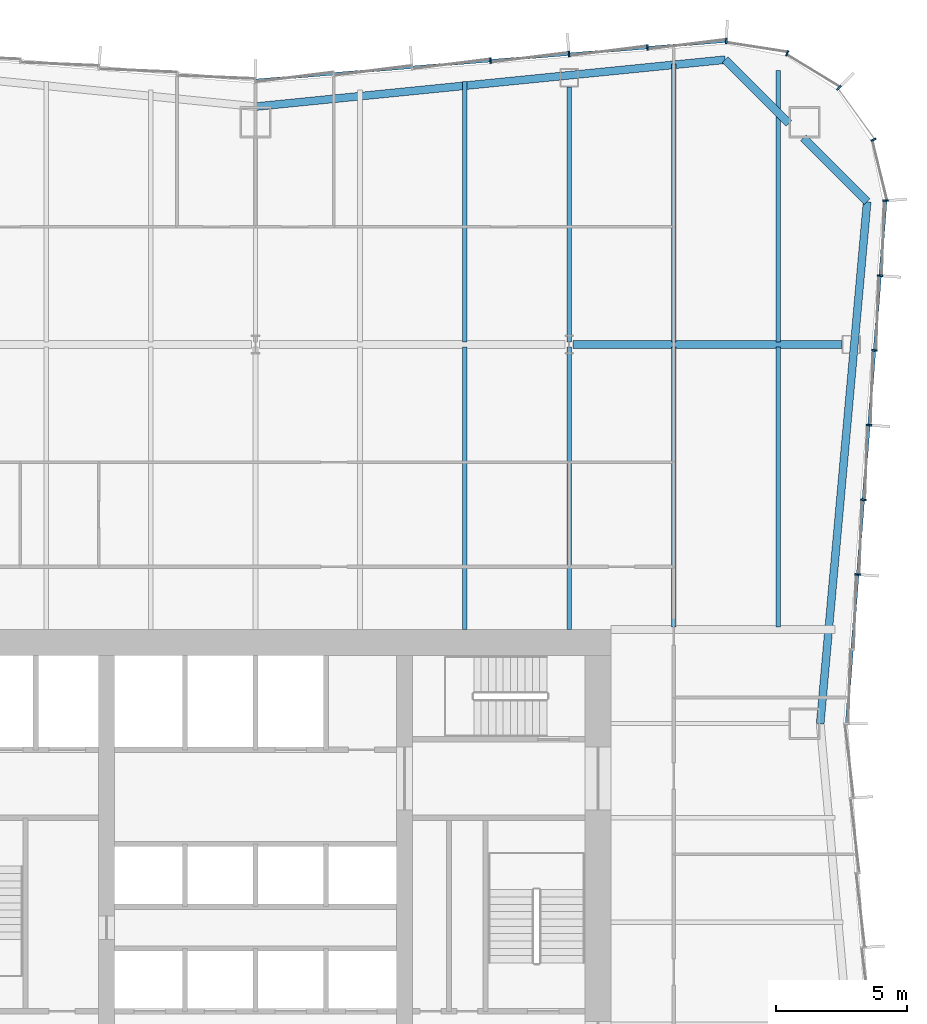
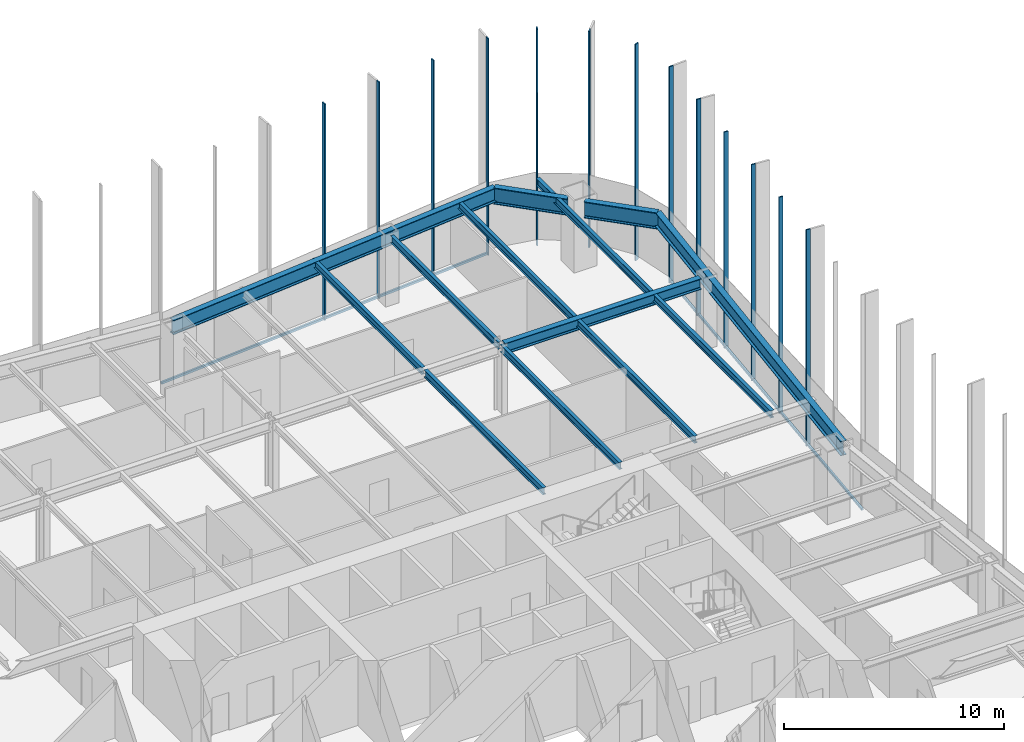
# One storey, part 7 of 13: 15 members, 13 beams, 3 elements without a shape of their own.
"""IFC4 building model written with IfcOpenShell, lengths in metres."""

from ifc_helpers import new_model, si_unit, direction, frame, origin, origin_2d, place, context, subcontext, project, spatial, rectangle, i_section, extrude, material, material_profile, profile_set, type_object, element, aggregate, save


model = new_model("IFC4")

# Units and contexts
model_context = context("Model", 3, precision=1e-05, world=origin(), true_north=direction((0.0, 1.0)))
body_context = subcontext(model_context, "Body", "Model", "MODEL_VIEW")
ifc_project = project(units=[si_unit("LENGTHUNIT", "METRE"), si_unit("AREAUNIT", "SQUARE_METRE"), si_unit("VOLUMEUNIT", "CUBIC_METRE"), si_unit("PLANEANGLEUNIT", "RADIAN"), si_unit("MASSUNIT", "GRAM", prefix="KILO")], contexts=[model_context])

# Site, building, storey
site_placement = place(None, origin())
site = spatial("IfcSite", under=ifc_project, at=site_placement, CompositionType="ELEMENT")
building_placement = place(site_placement, origin())
building = spatial("IfcBuilding", under=site, at=building_placement, Name="Verdant Reach Tower", CompositionType="ELEMENT")
storey_placement = place(building_placement, frame((0.0, 0.0, 126.0)))
storey = spatial("IfcBuildingStorey", under=building, at=storey_placement, Name="L28", CompositionType="ELEMENT", Elevation=126.0)

# Curtain wall, members
ifc_material_1 = material(Name="Anodised aluminium", Category="aluminium")
curtain_wall_type = type_object("IfcCurtainWallType", Name="EN-CW SYSTEM Z2", PredefinedType="NOTDEFINED", material=ifc_material_1)
curtain_wall_1_placement = place(storey_placement, origin())
curtain_wall_1 = element("IfcCurtainWall", 1, at=curtain_wall_1_placement, inside=storey, type_object=curtain_wall_type, Name="Curtain wall east, L28", PredefinedType="NOTDEFINED")
ifc_material_profile_1 = material_profile(ifc_material_1, rectangle(XDim=0.2119140625, YDim=0.06396484375, at=origin_2d()), Name="Mullion 64x212")
ifc_profile_set_1 = profile_set([ifc_material_profile_1], Name="Anodised aluminium")
member_type_1 = type_object("IfcMemberType", Name="EN-MULLION Z2", PredefinedType="MULLION", material=ifc_profile_set_1)
member_1_placement = place(storey_placement, frame((23.0341796875, 40.706298828125, -0.35009765625), z_axis=(0.0, 0.0, 1.0), x_axis=(0.997199309888, -0.074789948245, 0.0)))
member_1 = element("IfcMember", 2, at=member_1_placement, type_object=member_type_1, Name="Mullion east face part 2 3, L28", PredefinedType="MULLION", context=body_context, shape_type="SweptSolid", body=[
    extrude(rectangle(XDim=0.2119140625, YDim=0.06396484375, at=origin_2d()), origin(), (0.0, 0.0, 1.0), 12.0),
])
member_2_placement = place(storey_placement, frame((23.24853515625, 43.5634765625, -0.35009765625), z_axis=(0.0, 0.0, 1.0), x_axis=(0.997199309888, -0.074789948245, 0.0)))
member_2 = element("IfcMember", 3, at=member_2_placement, type_object=member_type_1, Name="Mullion east face part 2 4, L28", PredefinedType="MULLION", context=body_context, shape_type="SweptSolid", body=[
    extrude(rectangle(XDim=0.2119140625, YDim=0.06396484375, at=origin_2d()), origin(), (0.0, 0.0, 1.0), 12.0),
])
member_3_placement = place(storey_placement, frame((23.462890625, 46.420654296875, -0.35009765625), z_axis=(0.0, 0.0, 1.0), x_axis=(0.997199309888, -0.074789948245, 0.0)))
member_3 = element("IfcMember", 4, at=member_3_placement, type_object=member_type_1, Name="Mullion east face part 2 5, L28", PredefinedType="MULLION", context=body_context, shape_type="SweptSolid", body=[
    extrude(rectangle(XDim=0.2119140625, YDim=0.06396484375, at=origin_2d()), origin(), (0.0, 0.0, 1.0), 12.0),
])
member_4_placement = place(storey_placement, frame((23.67724609375, 49.27783203125, -0.35009765625), z_axis=(0.0, 0.0, 1.0), x_axis=(0.997199309888, -0.074789948245, 0.0)))
member_4 = element("IfcMember", 5, at=member_4_placement, type_object=member_type_1, Name="Mullion east face part 2 6, L28", PredefinedType="MULLION", context=body_context, shape_type="SweptSolid", body=[
    extrude(rectangle(XDim=0.2119140625, YDim=0.06396484375, at=origin_2d()), origin(), (0.0, 0.0, 1.0), 12.0),
])
member_5_placement = place(storey_placement, frame((23.891357421875, 52.135009765625, -0.35009765625), z_axis=(0.0, 0.0, 1.0), x_axis=(0.997199309888, -0.074789948245, 0.0)))
member_5 = element("IfcMember", 6, at=member_5_placement, type_object=member_type_1, Name="Mullion east face part 2 7, L28", PredefinedType="MULLION", context=body_context, shape_type="SweptSolid", body=[
    extrude(rectangle(XDim=0.2119140625, YDim=0.06396484375, at=origin_2d()), origin(), (0.0, 0.0, 1.0), 12.0),
])

curtain_wall_2_placement = place(storey_placement, origin())
curtain_wall_2 = element("IfcCurtainWall", 7, at=curtain_wall_2_placement, inside=storey, type_object=curtain_wall_type, Name="Curtain wall north-east corner, L28", PredefinedType="NOTDEFINED")
member_6_placement = place(storey_placement, frame((24.105712890625, 55.00634765625, -0.35009765625), z_axis=(0.0, 0.0, 1.0), x_axis=(0.998155887542, 0.060702752526, 0.0)))
member_6 = element("IfcMember", 8, at=member_6_placement, type_object=member_type_1, Name="Mullion north-east corner 1, L28", PredefinedType="MULLION", context=body_context, shape_type="SweptSolid", body=[
    extrude(rectangle(XDim=0.2119140625, YDim=0.06396484375, at=origin_2d()), origin(), (0.0, 0.0, 1.0), 12.0),
])
member_7_placement = place(storey_placement, frame((23.64111328125, 57.336669921875, -0.35009765625), z_axis=(0.0, 0.0, 1.0), x_axis=(0.923875215753, 0.382693853776, 0.0)))
member_7 = element("IfcMember", 9, at=member_7_placement, type_object=member_type_1, Name="Mullion north-east corner 2, L28", PredefinedType="MULLION", context=body_context, shape_type="SweptSolid", body=[
    extrude(rectangle(XDim=0.2119140625, YDim=0.06396484375, at=origin_2d()), origin(), (0.0, 0.0, 1.0), 12.0),
])
member_8_placement = place(storey_placement, frame((22.317626953125, 59.317626953125, -0.35009765625), z_axis=(0.0, 0.0, 1.0), x_axis=(0.707106781187, 0.707106781187, 0.0)))
member_8 = element("IfcMember", 10, at=member_8_placement, type_object=member_type_1, Name="Mullion north-east corner 3, L28", PredefinedType="MULLION", context=body_context, shape_type="SweptSolid", body=[
    extrude(rectangle(XDim=0.2119140625, YDim=0.06396484375, at=origin_2d()), origin(), (0.0, 0.0, 1.0), 12.0),
])
member_9_placement = place(storey_placement, frame((20.336669921875, 60.64111328125, -0.35009765625), z_axis=(0.0, 0.0, 1.0), x_axis=(0.382693853776, 0.923875215753, 0.0)))
member_9 = element("IfcMember", 11, at=member_9_placement, type_object=member_type_1, Name="Mullion north-east corner 4, L28", PredefinedType="MULLION", context=body_context, shape_type="SweptSolid", body=[
    extrude(rectangle(XDim=0.2119140625, YDim=0.06396484375, at=origin_2d()), origin(), (0.0, 0.0, 1.0), 12.0),
])
aggregate(curtain_wall_2, [member_6, member_7, member_8, member_9])

curtain_wall_3_placement = place(storey_placement, origin())
curtain_wall_3 = element("IfcCurtainWall", 12, at=curtain_wall_3_placement, inside=storey, type_object=curtain_wall_type, Name="Curtain wall north, L28", PredefinedType="NOTDEFINED")
member_10_placement = place(storey_placement, frame((18.006103515625, 61.105712890625, -0.35009765625), z_axis=(0.0, 0.0, 1.0), x_axis=(0.056569187765, 0.998398681387, 0.0)))
member_10 = element("IfcMember", 13, at=member_10_placement, type_object=member_type_1, Name="Mullion north face part 1 1, L28", PredefinedType="MULLION", context=body_context, shape_type="SweptSolid", body=[
    extrude(rectangle(XDim=0.2119140625, YDim=0.06396484375, at=origin_2d()), origin(), (0.0, 0.0, 1.0), 12.0),
])
member_11_placement = place(storey_placement, frame((14.9912109375, 60.855712890625, -0.35009765625), z_axis=(0.0, 0.0, 1.0), x_axis=(-0.083045479859, 0.996545758244, 0.0)))
member_11 = element("IfcMember", 14, at=member_11_placement, type_object=member_type_1, Name="Mullion north face part 1 2, L28", PredefinedType="MULLION", context=body_context, shape_type="SweptSolid", body=[
    extrude(rectangle(XDim=0.2119140625, YDim=0.06396484375, at=origin_2d()), origin(), (0.0, 0.0, 1.0), 12.0),
])
member_12_placement = place(storey_placement, frame((11.9912109375, 60.605712890625, -0.35009765625), z_axis=(0.0, 0.0, 1.0), x_axis=(-0.083045479859, 0.996545758244, 0.0)))
member_12 = element("IfcMember", 15, at=member_12_placement, type_object=member_type_1, Name="Mullion north face part 1 3, L28", PredefinedType="MULLION", context=body_context, shape_type="SweptSolid", body=[
    extrude(rectangle(XDim=0.2119140625, YDim=0.06396484375, at=origin_2d()), origin(), (0.0, 0.0, 1.0), 12.0),
])
member_13_placement = place(storey_placement, frame((8.9912109375, 60.355712890625, -0.35009765625), z_axis=(0.0, 0.0, 1.0), x_axis=(-0.083045479859, 0.996545758244, 0.0)))
member_13 = element("IfcMember", 16, at=member_13_placement, type_object=member_type_1, Name="Mullion north face part 1 4, L28", PredefinedType="MULLION", context=body_context, shape_type="SweptSolid", body=[
    extrude(rectangle(XDim=0.2119140625, YDim=0.06396484375, at=origin_2d()), origin(), (0.0, 0.0, 1.0), 12.0),
])

# Member
ifc_material_profile_2 = material_profile(ifc_material_1, rectangle(XDim=0.10009765625, YDim=0.1240234375, at=origin_2d()), Name="Transom 124x100")
ifc_profile_set_2 = profile_set([ifc_material_profile_2], Name="Anodised aluminium")
member_type_2 = type_object("IfcMemberType", Name="EN-TRANSOM Z2", PredefinedType="USERDEFINED", material=ifc_profile_set_2)
member_14_placement = place(storey_placement, frame((22.6083984375, 35.031982421875, -0.2880859375), z_axis=(0.07476111665, 0.997201471839, 0.0), x_axis=(-0.997201471839, 0.07476111665, 0.0)))
member_14 = element("IfcMember", 17, at=member_14_placement, type_object=member_type_2, Name="Transom east face part 2 1.1, L28", ObjectType="TRANSOM", PredefinedType="USERDEFINED", context=body_context, shape_type="SweptSolid", body=[
    extrude(rectangle(XDim=0.10009765625, YDim=0.1240234375, at=origin_2d()), origin(), (0.0, 0.0, 1.0), 19.99853515625),
])

aggregate(curtain_wall_1, [member_1, member_2, member_3, member_4, member_5, member_14])

member_15_placement = place(storey_placement, frame((17.97412109375, 61.103271484375, -0.2880859375), z_axis=(-0.996548282776, -0.083015179915, 0.0), x_axis=(0.083015179915, -0.996548282776, 0.0)))
member_15 = element("IfcMember", 18, at=member_15_placement, type_object=member_type_2, Name="Transom north face part 1 1.1, L28", ObjectType="TRANSOM", PredefinedType="USERDEFINED", context=body_context, shape_type="SweptSolid", body=[
    extrude(rectangle(XDim=0.10009765625, YDim=0.1240234375, at=origin_2d()), origin(), (0.0, 0.0, 1.0), 18.00439453125),
])

aggregate(curtain_wall_3, [member_10, member_11, member_12, member_13, member_15])

# Beams
ifc_material_2 = material(Name="Steel S355", Category="steel")
ifc_material_profile_3 = material_profile(ifc_material_2, i_section(OverallWidth=0.300048828125, OverallDepth=0.60009765625, WebThickness=0.015380859375, FlangeThickness=0.030029296875, FilletRadius=0.027099609375, at=origin_2d()), Name="HEB 600")
ifc_profile_set_3 = profile_set([ifc_material_profile_3], Name="Steel S355")
beam_type_1 = type_object("IfcBeamType", Name="ST-BEAM-HEB600", PredefinedType="BEAM", material=ifc_profile_set_3)
beam_1_placement = place(storey_placement, frame((12.154052734375, 49.5, 3.570068359375), z_axis=(1.0, 0.0, 0.0), x_axis=(0.0, 1.0, 0.0)))
element("IfcBeam", 19, at=beam_1_placement, inside=storey, type_object=beam_type_1, Name="Row girder, L28", PredefinedType="BEAM", context=body_context, shape_type="SweptSolid", body=[
    extrude(i_section(OverallWidth=0.300048828125, OverallDepth=0.60009765625, WebThickness=0.015380859375, FlangeThickness=0.030029296875, FilletRadius=0.027099609375, at=origin_2d()), origin(), (0.0, 0.0, 1.0), 10.283447265625),
])
ifc_material_profile_4 = material_profile(ifc_material_2, i_section(OverallWidth=0.179931640625, OverallDepth=0.39990234375, WebThickness=0.008544921875, FlangeThickness=0.013427734375, FilletRadius=0.02099609375, at=origin_2d()), Name="IPE 400")
ifc_profile_set_4 = profile_set([ifc_material_profile_4], Name="Steel S355")
beam_type_2 = type_object("IfcBeamType", Name="ST-JOIST-IPE400", PredefinedType="JOIST", material=ifc_profile_set_4)
beam_2_placement = place(storey_placement, frame((8.0, 38.60009765625, 3.669921875), z_axis=(0.0, 1.0, 0.0), x_axis=(-1.0, 0.0, 0.0)))
element("IfcBeam", 20, at=beam_2_placement, inside=storey, type_object=beam_type_2, Name="Floor joist, L28", PredefinedType="JOIST", context=body_context, shape_type="SweptSolid", body=[
    extrude(i_section(OverallWidth=0.179931640625, OverallDepth=0.39990234375, WebThickness=0.008544921875, FlangeThickness=0.013427734375, FilletRadius=0.02099609375, at=origin_2d()), origin(), (0.0, 0.0, 1.0), 10.7998046875),
])
beam_3_placement = place(storey_placement, frame((8.0, 49.60009765625, 3.669921875), z_axis=(0.0, 1.0, 0.0), x_axis=(-1.0, 0.0, 0.0)))
element("IfcBeam", 21, at=beam_3_placement, inside=storey, type_object=beam_type_2, Name="Floor joist, L28", PredefinedType="JOIST", context=body_context, shape_type="SweptSolid", body=[
    extrude(i_section(OverallWidth=0.179931640625, OverallDepth=0.39990234375, WebThickness=0.008544921875, FlangeThickness=0.013427734375, FilletRadius=0.02099609375, at=origin_2d()), origin(), (0.0, 0.0, 1.0), 9.964599609375),
])
beam_4_placement = place(storey_placement, frame((12.0, 38.60009765625, 3.669921875), z_axis=(0.0, 1.0, 0.0), x_axis=(-1.0, 0.0, 0.0)))
element("IfcBeam", 22, at=beam_4_placement, inside=storey, type_object=beam_type_2, Name="Floor joist, L28", PredefinedType="JOIST", context=body_context, shape_type="SweptSolid", body=[
    extrude(i_section(OverallWidth=0.179931640625, OverallDepth=0.39990234375, WebThickness=0.008544921875, FlangeThickness=0.013427734375, FilletRadius=0.02099609375, at=origin_2d()), origin(), (0.0, 0.0, 1.0), 10.7998046875),
])
beam_5_placement = place(storey_placement, frame((12.0, 49.60009765625, 3.669921875), z_axis=(0.0, 1.0, 0.0), x_axis=(-1.0, 0.0, 0.0)))
element("IfcBeam", 23, at=beam_5_placement, inside=storey, type_object=beam_type_2, Name="Floor joist, L28", PredefinedType="JOIST", context=body_context, shape_type="SweptSolid", body=[
    extrude(i_section(OverallWidth=0.179931640625, OverallDepth=0.39990234375, WebThickness=0.008544921875, FlangeThickness=0.013427734375, FilletRadius=0.02099609375, at=origin_2d()), origin(), (0.0, 0.0, 1.0), 9.75),
])
beam_6_placement = place(storey_placement, frame((16.0, 38.699951171875, 3.669921875), z_axis=(0.0, 1.0, 0.0), x_axis=(-1.0, 0.0, 0.0)))
element("IfcBeam", 24, at=beam_6_placement, inside=storey, type_object=beam_type_2, Name="Floor joist, L28", PredefinedType="JOIST", context=body_context, shape_type="SweptSolid", body=[
    extrude(i_section(OverallWidth=0.179931640625, OverallDepth=0.39990234375, WebThickness=0.008544921875, FlangeThickness=0.013427734375, FilletRadius=0.02099609375, at=origin_2d()), origin(), (0.0, 0.0, 1.0), 10.699951171875),
])
beam_7_placement = place(storey_placement, frame((16.0, 49.60009765625, 3.669921875), z_axis=(0.0, 1.0, 0.0), x_axis=(-1.0, 0.0, 0.0)))
element("IfcBeam", 25, at=beam_7_placement, inside=storey, type_object=beam_type_2, Name="Floor joist, L28", PredefinedType="JOIST", context=body_context, shape_type="SweptSolid", body=[
    extrude(i_section(OverallWidth=0.179931640625, OverallDepth=0.39990234375, WebThickness=0.008544921875, FlangeThickness=0.013427734375, FilletRadius=0.02099609375, at=origin_2d()), origin(), (0.0, 0.0, 1.0), 10.631103515625),
])
beam_8_placement = place(storey_placement, frame((20.0, 38.699951171875, 3.669921875), z_axis=(0.0, 1.0, 0.0), x_axis=(-1.0, 0.0, 0.0)))
element("IfcBeam", 26, at=beam_8_placement, inside=storey, type_object=beam_type_2, Name="Floor joist, L28", PredefinedType="JOIST", context=body_context, shape_type="SweptSolid", body=[
    extrude(i_section(OverallWidth=0.179931640625, OverallDepth=0.39990234375, WebThickness=0.008544921875, FlangeThickness=0.013427734375, FilletRadius=0.02099609375, at=origin_2d()), origin(), (0.0, 0.0, 1.0), 10.699951171875),
])
beam_9_placement = place(storey_placement, frame((20.0, 49.60009765625, 3.669921875), z_axis=(0.0, 1.0, 0.0), x_axis=(-1.0, 0.0, 0.0)))
element("IfcBeam", 27, at=beam_9_placement, inside=storey, type_object=beam_type_2, Name="Floor joist, L28", PredefinedType="JOIST", context=body_context, shape_type="SweptSolid", body=[
    extrude(i_section(OverallWidth=0.179931640625, OverallDepth=0.39990234375, WebThickness=0.008544921875, FlangeThickness=0.013427734375, FilletRadius=0.02099609375, at=origin_2d()), origin(), (0.0, 0.0, 1.0), 10.390380859375),
])
ifc_material_profile_5 = material_profile(ifc_material_2, i_section(OverallWidth=0.300048828125, OverallDepth=0.800048828125, WebThickness=0.017578125, FlangeThickness=0.032958984375, FilletRadius=0.030029296875, at=origin_2d()), Name="HEB 800")
ifc_profile_set_5 = profile_set([ifc_material_profile_5], Name="Steel S355")
beam_type_3 = type_object("IfcBeamType", Name="ST-SPANDREL-HEB800", PredefinedType="SPANDREL", material=ifc_profile_set_5)
beam_10_placement = place(storey_placement, frame((0.0, 58.60009765625, 3.469970703125), z_axis=(0.995046289869, 0.099412680371, 0.0), x_axis=(-0.099412680371, 0.995046289869, 0.0)))
element("IfcBeam", 28, at=beam_10_placement, inside=storey, type_object=beam_type_3, Name="Edge beam, L28", PredefinedType="SPANDREL", context=body_context, shape_type="SweptSolid", body=[
    extrude(i_section(OverallWidth=0.300048828125, OverallDepth=0.800048828125, WebThickness=0.017578125, FlangeThickness=0.032958984375, FilletRadius=0.030029296875, at=origin_2d()), origin(), (0.0, 0.0, 1.0), 18.05517578125),
])
beam_11_placement = place(storey_placement, frame((23.3955078125, 54.963134765625, 3.469970703125), z_axis=(-0.089574749266, -0.995980102358, 0.0), x_axis=(0.995980102358, -0.089574749266, 0.0)))
element("IfcBeam", 29, at=beam_11_placement, inside=storey, type_object=beam_type_3, Name="Edge beam, L28", PredefinedType="SPANDREL", context=body_context, shape_type="SweptSolid", body=[
    extrude(i_section(OverallWidth=0.300048828125, OverallDepth=0.800048828125, WebThickness=0.017578125, FlangeThickness=0.032958984375, FilletRadius=0.030029296875, at=origin_2d()), origin(), (0.0, 0.0, 1.0), 20.043701171875),
])
ifc_material_profile_6 = material_profile(ifc_material_2, i_section(OverallWidth=0.302001953125, OverallDepth=0.909912109375, WebThickness=0.02099609375, FlangeThickness=0.0400390625, FilletRadius=0.030029296875, at=origin_2d()), Name="HEM 900")
ifc_profile_set_6 = profile_set([ifc_material_profile_6], Name="Steel S355")
beam_type_4 = type_object("IfcBeamType", Name="ST-SPANDREL-HEM900", PredefinedType="SPANDREL", material=ifc_profile_set_6)
beam_12_placement = place(storey_placement, frame((17.9658203125, 60.39501953125, 3.4150390625), z_axis=(0.70696494852, -0.70724858541, 0.0), x_axis=(0.70724858541, 0.70696494852, 0.0)))
element("IfcBeam", 30, at=beam_12_placement, inside=storey, type_object=beam_type_4, Name="Edge beam, L28", PredefinedType="SPANDREL", context=body_context, shape_type="SweptSolid", body=[
    extrude(i_section(OverallWidth=0.302001953125, OverallDepth=0.909912109375, WebThickness=0.02099609375, FlangeThickness=0.0400390625, FilletRadius=0.030029296875, at=origin_2d()), origin(), (0.0, 0.0, 1.0), 3.443115234375),
])
beam_13_placement = place(storey_placement, frame((20.959716796875, 57.39990234375, 3.4150390625), z_axis=(0.706965048022, -0.707248485948, 0.0), x_axis=(0.707248485948, 0.706965048022, 0.0)))
element("IfcBeam", 31, at=beam_13_placement, inside=storey, type_object=beam_type_4, Name="Edge beam, L28", PredefinedType="SPANDREL", context=body_context, shape_type="SweptSolid", body=[
    extrude(i_section(OverallWidth=0.302001953125, OverallDepth=0.909912109375, WebThickness=0.02099609375, FlangeThickness=0.0400390625, FilletRadius=0.030029296875, at=origin_2d()), origin(), (0.0, 0.0, 1.0), 3.4453125),
])

save(model, "model.ifc")
